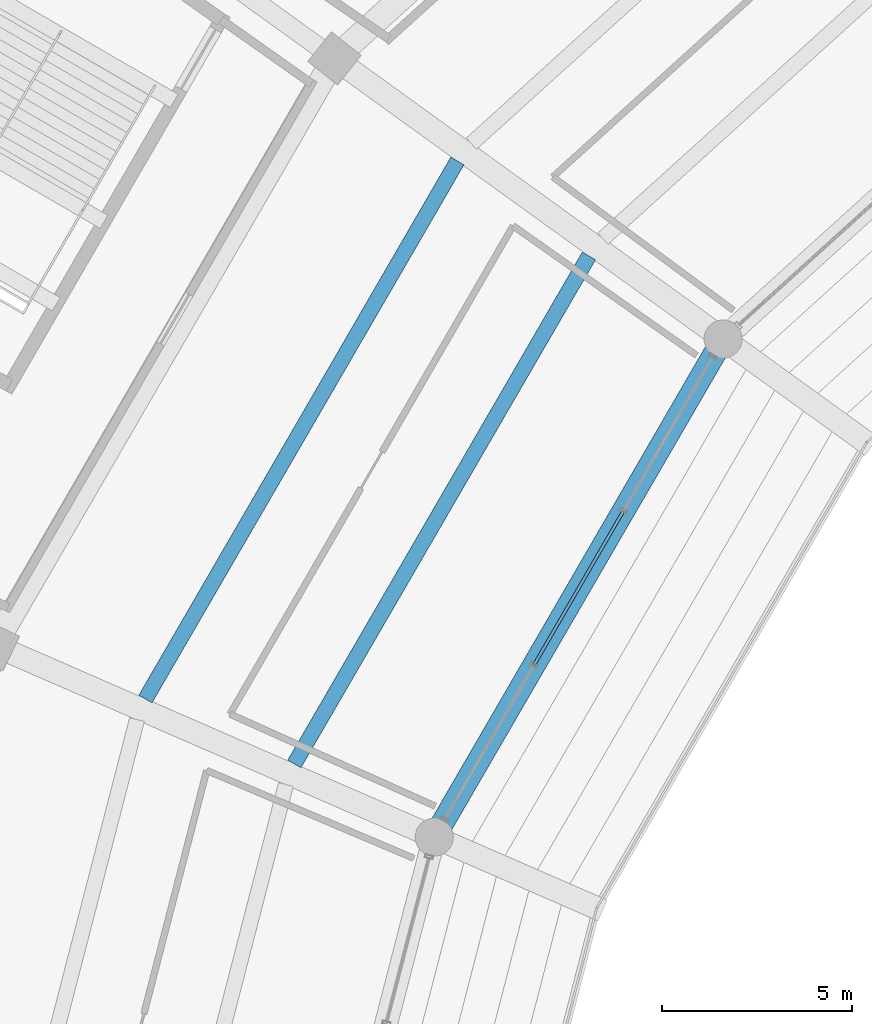
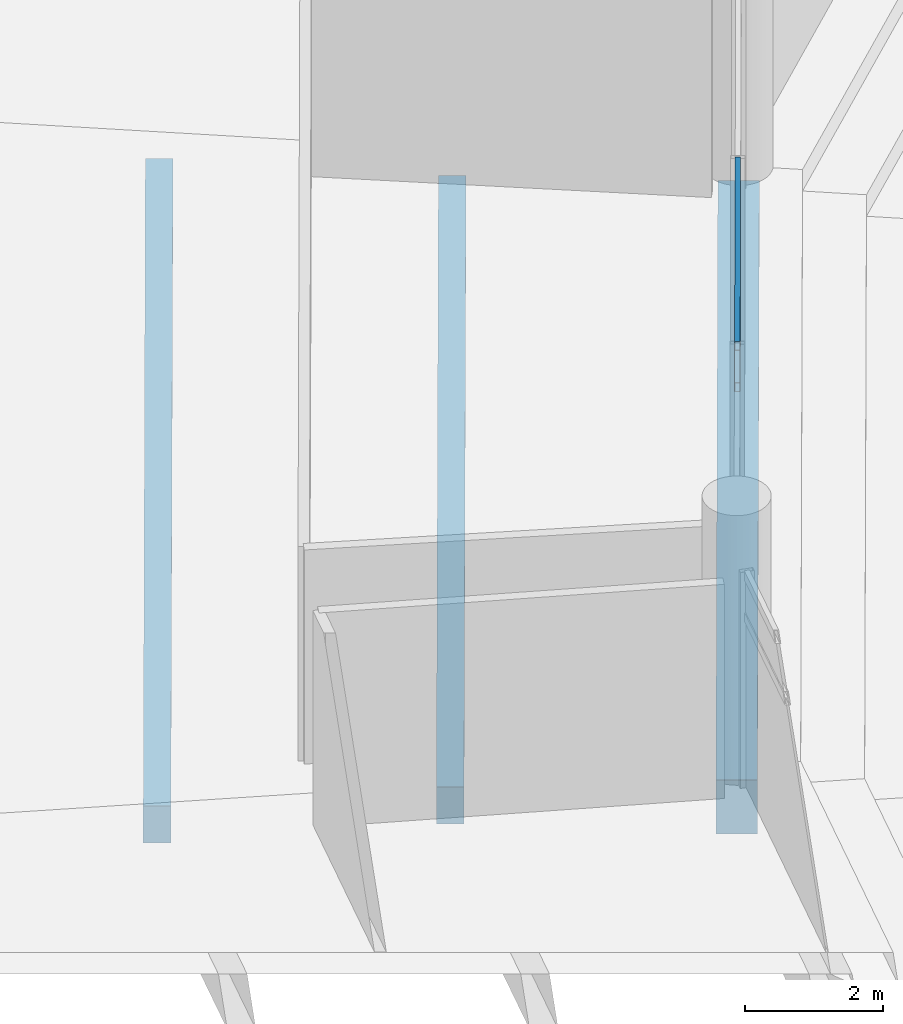
# One storey, part 47 of 171: 3 beams, 2 members, 1 element without a shape of its own.
"""IFC4 building model written with IfcOpenShell, lengths in metres."""

import ifcopenshell
import ifcopenshell.guid

model = None  # the IFC model being written
_history = None  # IfcOwnerHistory: only IFC2X3 demands one
_inside = {}  # id of a spatial element -> (the spatial element, [elements in it])
_under = {}  # id of a project, library or spatial element -> (it, [spatial elements below it])
_declared = {}  # id of a project -> (the project, [libraries it declares])
_typed = {}  # id of a type object -> (the type object, [elements of that type])
_made_of = {}  # id of a material, layer set ... -> (it, [elements and type objects made of it])


def new_model(schema):
    """Start an empty IFC model of exactly this schema.

    Asked for "IFC4X3", IfcOpenShell would pick the latest addendum, in which some entities
    have other attributes; the version numbers below select the first issue.
    IFC2X3 requires an IfcOwnerHistory on every rooted entity: one is made here for all.
    """
    global model, _history
    if schema == "IFC4X3":
        model = ifcopenshell.file(schema_version=(4, 3, 0, 0))
    else:
        model = ifcopenshell.file(schema=schema)
    _inside.clear()
    _under.clear()
    _declared.clear()
    _typed.clear()
    _made_of.clear()
    _history = None
    if model.schema == "IFC2X3":
        org = make("IfcOrganization", Name="unknown")
        user = make(
            "IfcPersonAndOrganization",
            ThePerson=make("IfcPerson", FamilyName="unknown"),
            TheOrganization=org,
        )
        app = make(
            "IfcApplication",
            ApplicationDeveloper=org,
            Version="unknown",
            ApplicationFullName="unknown",
            ApplicationIdentifier="unknown",
        )
        _history = make(
            "IfcOwnerHistory",
            OwningUser=user,
            OwningApplication=app,
            ChangeAction="ADDED",
            CreationDate=0,
        )
    return model


def make(cls, **values):
    """One entity of the class cls with the attributes given. An attribute that is None is left unset."""
    return model.create_entity(
        cls, **{name: value for name, value in values.items() if value is not None}
    )


def rooted(cls, **values):
    """An entity with a GlobalId (a new one), such as an element, a storey or a relation."""
    return make(cls, GlobalId=ifcopenshell.guid.new(), OwnerHistory=_history, **values)


def si_unit(unit_type, name, prefix=None):
    """IfcSIUnit, for example si_unit("LENGTHUNIT", "METRE", prefix="MILLI")."""
    return make("IfcSIUnit", UnitType=unit_type, Prefix=prefix, Name=name)


def assignment(units):
    """IfcUnitAssignment: the units of a project."""
    return None if units is None else make("IfcUnitAssignment", Units=units)


def point(xyz):
    """IfcCartesianPoint."""
    return None if xyz is None else make("IfcCartesianPoint", Coordinates=xyz)


def direction(xyz):
    """IfcDirection."""
    return None if xyz is None else make("IfcDirection", DirectionRatios=xyz)


def frame(location, z_axis=None, x_axis=None):
    """IfcAxis2Placement3D, a coordinate frame: its origin and axes. An axis left out is left unset."""
    return make(
        "IfcAxis2Placement3D",
        Location=point(location),
        Axis=direction(z_axis),
        RefDirection=direction(x_axis),
    )


def frame_2d(location, x_axis=None):
    """IfcAxis2Placement2D, a coordinate frame in the plane: its origin and x axis."""
    return make(
        "IfcAxis2Placement2D", Location=point(location), RefDirection=direction(x_axis)
    )


def origin():
    """The frame at (0, 0, 0) with its axes left unset."""
    return frame((0.0, 0.0, 0.0))


def origin_2d():
    """The frame at (0, 0) in the plane with its x axis left unset."""
    return frame_2d((0.0, 0.0))


def place(relative_to, where):
    """IfcLocalPlacement: puts the frame where relative to a parent placement (None: the world)."""
    return make(
        "IfcLocalPlacement", PlacementRelTo=relative_to, RelativePlacement=where
    )


def context(
    kind, dimensions, precision=None, world=None, true_north=None, identifier=None
):
    """IfcGeometricRepresentationContext, for example the 3D "Model" context."""
    return make(
        "IfcGeometricRepresentationContext",
        ContextIdentifier=identifier,
        ContextType=kind,
        CoordinateSpaceDimension=dimensions,
        Precision=precision,
        WorldCoordinateSystem=world,
        TrueNorth=true_north,
    )


def subcontext(parent, identifier, kind, view, scale=None):
    """IfcGeometricRepresentationSubContext, for example "Body" below "Model"."""
    return make(
        "IfcGeometricRepresentationSubContext",
        ContextIdentifier=identifier,
        ContextType=kind,
        ParentContext=parent,
        TargetScale=scale,
        TargetView=view,
    )


def project(units=None, contexts=None):
    """IfcProject with its units and contexts."""
    return rooted(
        "IfcProject",
        Name="project",
        RepresentationContexts=contexts,
        UnitsInContext=assignment(units),
    )


def spatial(cls, under=None, at=None, **own):
    """A site, building, storey or space (cls), placed at a placement, below another one or the project."""
    s = rooted(cls, ObjectPlacement=at, **own)
    if under is not None:
        _under.setdefault(under.id(), (under, []))[1].append(s)
    return s


def profile(cls, at=None, kind="AREA", **sizes):
    """A parametric profile (cls). Its sizes go by their IFC names, for example OverallWidth=200.0."""
    return make(cls, ProfileType=kind, Position=at, **sizes)


def rectangle(**sizes):
    """IfcRectangleProfileDef."""
    return profile("IfcRectangleProfileDef", **sizes)


def hollow_rectangle(**sizes):
    """IfcRectangleHollowProfileDef."""
    return profile("IfcRectangleHollowProfileDef", **sizes)


def extrude(swept, where, along, depth):
    """IfcExtrudedAreaSolid: the profile swept, set in the frame where, extruded along a direction by depth."""
    return make(
        "IfcExtrudedAreaSolid",
        SweptArea=swept,
        Position=where,
        ExtrudedDirection=direction(along),
        Depth=depth,
    )


def shape(context_of_items, identifier, shape_type, items):
    """IfcShapeRepresentation: the items that make up one representation, for example the "Body"."""
    return make(
        "IfcShapeRepresentation",
        ContextOfItems=context_of_items,
        RepresentationIdentifier=identifier,
        RepresentationType=shape_type,
        Items=items,
    )


def material(Name=None, Category=None):
    """IfcMaterial."""
    return make("IfcMaterial", Name=Name, Category=Category)


def layer(
    of_material, thickness, ventilated=None, Name=None, Category=None, Priority=None
):
    """IfcMaterialLayer: one layer of a wall or slab, of a material (None: an air gap)."""
    return make(
        "IfcMaterialLayer",
        Material=of_material,
        LayerThickness=thickness,
        IsVentilated=ventilated,
        Name=Name,
        Category=Category,
        Priority=Priority,
    )


def layer_set(layers, Name=None):
    """IfcMaterialLayerSet."""
    return make("IfcMaterialLayerSet", MaterialLayers=layers, LayerSetName=Name)


def material_profile(
    of_material, cross_section, Name=None, Category=None, Priority=None
):
    """IfcMaterialProfile: a cross section and its material."""
    return make(
        "IfcMaterialProfile",
        Name=Name,
        Material=of_material,
        Profile=cross_section,
        Priority=Priority,
        Category=Category,
    )


def profile_set(profiles, Name=None, composite=None):
    """IfcMaterialProfileSet."""
    return make(
        "IfcMaterialProfileSet",
        Name=Name,
        MaterialProfiles=profiles,
        CompositeProfile=composite,
    )


def made_of(thing, what):
    """Note that an element or type object is made of a material, layer set ...; save() writes the relation."""
    if what is not None:
        _made_of.setdefault(what.id(), (what, []))[1].append(thing)
    return thing


def type_object(cls, material=None, **own):
    """A type object (cls), such as IfcWallType, which elements share."""
    return made_of(rooted(cls, **own), material)


def element(
    cls,
    number,
    at=None,
    inside=None,
    cuts=None,
    type_object=None,
    material=None,
    context=None,
    identifier="Body",
    shape_type=None,
    held_by="IfcProductDefinitionShape",
    body=None,
    shapes=None,
    **own,
):
    """One element of the class cls, such as IfcWall. Its Tag is "e" and its number.

    at: its placement. inside: the storey or other place that contains it. cuts: it is an
    opening in that element (IfcRelVoidsElement). A single representation is given by context,
    identifier, shape_type and body (its items); several are given by shapes. held_by: the class
    of the entity that holds the representations. save() writes the other relations.
    """
    e = rooted(cls, Tag="e%d" % number, ObjectPlacement=at, **own)
    if body is not None:
        shapes = [shape(context, identifier, shape_type, body)]
    if shapes is not None:
        e.Representation = make(held_by, Representations=shapes)
    if inside is not None:
        _inside.setdefault(inside.id(), (inside, []))[1].append(e)
    if cuts is not None:
        rooted(
            "IfcRelVoidsElement", RelatingBuildingElement=cuts, RelatedOpeningElement=e
        )
    if type_object is not None:
        _typed.setdefault(type_object.id(), (type_object, []))[1].append(e)
    return made_of(e, material)


def aggregate(whole, parts):
    """IfcRelAggregates: a whole, such as a stair, and the parts it consists of."""
    return rooted("IfcRelAggregates", RelatingObject=whole, RelatedObjects=parts)


def save(model, path):
    """Write the relations noted so far, then the file.

    IfcRelAggregates (storeys below a building ...), IfcRelContainedInSpatialStructure (elements
    in a storey), IfcRelDefinesByType, IfcRelAssociatesMaterial and IfcRelDeclares: one each for
    every whole, place, type object, material and project.
    """
    for whole, parts in _under.values():
        aggregate(whole, parts)
    for where, things in _inside.values():
        rooted(
            "IfcRelContainedInSpatialStructure",
            RelatedElements=things,
            RelatingStructure=where,
        )
    for kind, things in _typed.values():
        rooted("IfcRelDefinesByType", RelatedObjects=things, RelatingType=kind)
    for what, things in _made_of.values():
        rooted("IfcRelAssociatesMaterial", RelatedObjects=things, RelatingMaterial=what)
    for by, libraries in _declared.values():
        rooted("IfcRelDeclares", RelatingContext=by, RelatedDefinitions=libraries)
    model.write(path)


model = new_model("IFC4")

# Units and contexts
model_context = context("Model", 3, precision=1e-05, world=origin(), true_north=direction((0.0, 1.0)))
body_context = subcontext(model_context, "Body", "Model", "MODEL_VIEW")
ifc_project = project(units=[si_unit("LENGTHUNIT", "METRE"), si_unit("AREAUNIT", "SQUARE_METRE"), si_unit("VOLUMEUNIT", "CUBIC_METRE"), si_unit("PLANEANGLEUNIT", "RADIAN"), si_unit("MASSUNIT", "GRAM", prefix="KILO")], contexts=[model_context])

# Site, building, storey
site_placement = place(None, origin())
site = spatial("IfcSite", under=ifc_project, at=site_placement, CompositionType="ELEMENT")
building_placement = place(site_placement, origin())
building = spatial("IfcBuilding", under=site, at=building_placement, Name="Kazemori Nagisa Stadium", CompositionType="ELEMENT")
storey_placement = place(building_placement, frame((0.0, 0.0, 15.639892578125)))
storey = spatial("IfcBuildingStorey", under=building, at=storey_placement, Name="L03", CompositionType="ELEMENT", Elevation=15.639892578125)

# Beams
ifc_material_1 = material(Name="Concrete C40/50 (Fc42)", Category="concrete")
ifc_material_profile_1 = material_profile(ifc_material_1, rectangle(XDim=0.60009765625, YDim=0.949951171875, at=origin_2d()), Name="RC-BM-600x950")
ifc_profile_set_1 = profile_set([ifc_material_profile_1], Name="Concrete C40/50 (Fc42)")
beam_type_1 = type_object("IfcBeamType", Name="Beam_BG-RC600X950", PredefinedType="BEAM", material=ifc_profile_set_1)
beam_1_placement = place(storey_placement, frame((65.698486328125, 143.367431640625, -0.73486328125), z_axis=(-0.501613453924, -0.865091869597, 0.0), x_axis=(0.865091869597, -0.501613453924, 0.0)))
element("IfcBeam", 1, at=beam_1_placement, inside=storey, type_object=beam_type_1, Name="Ring girder BG-RC600X950 L03 R1-12", PredefinedType="BEAM", context=body_context, shape_type="SweptSolid", body=[
    extrude(rectangle(XDim=0.60009765625, YDim=0.949951171875, at=origin_2d()), origin(), (0.0, 0.0, 1.0), 15.1201171875),
])
ifc_material_profile_2 = material_profile(ifc_material_1, rectangle(XDim=0.39990234375, YDim=0.64990234375, at=origin_2d()), Name="RC-BM-400x650")
ifc_profile_set_2 = profile_set([ifc_material_profile_2], Name="Concrete C40/50 (Fc42)")
beam_type_2 = type_object("IfcBeamType", Name="Beam_BJ-RC400X650", PredefinedType="JOIST", material=ifc_profile_set_2)
beam_2_placement = place(storey_placement, frame((62.175048828125, 145.548828125, -0.5849609375), z_axis=(-0.501607199617, -0.865095496054, 0.0), x_axis=(0.865095496054, -0.501607199617, 0.0)))
element("IfcBeam", 2, at=beam_2_placement, inside=storey, type_object=beam_type_2, Name="Concourse joist BJ-RC400X650 L03 B12-1", PredefinedType="JOIST", context=body_context, shape_type="SweptSolid", body=[
    extrude(rectangle(XDim=0.39990234375, YDim=0.64990234375, at=origin_2d()), origin(), (0.0, 0.0, 1.0), 15.420654296875),
])
beam_3_placement = place(storey_placement, frame((58.72119140625, 148.042236328125, -0.5849609375), z_axis=(-0.501604213872, -0.865097227268, 0.0), x_axis=(0.865097227268, -0.501604213872, 0.0)))
element("IfcBeam", 3, at=beam_3_placement, inside=storey, type_object=beam_type_2, Name="Concourse joist BJ-RC400X650 L03 B12-2", PredefinedType="JOIST", context=body_context, shape_type="SweptSolid", body=[
    extrude(rectangle(XDim=0.39990234375, YDim=0.64990234375, at=origin_2d()), origin(), (0.0, 0.0, 1.0), 16.331787109375),
])

# Curtain wall, members
ifc_material_2 = material(Name="Anodised aluminium 6063-T5", Category="aluminium")
ifc_layer = layer(ifc_material_2, 0.2099609375, Name="Anodised aluminium 6063-T5", Category="aluminium")
ifc_layer_set = layer_set([ifc_layer], Name="Anodised aluminium 6063-T5")
curtain_wall_type = type_object("IfcCurtainWallType", Name="CW_L03B_71", PredefinedType="USERDEFINED", material=ifc_layer_set)
curtain_wall_placement = place(storey_placement, origin())
curtain_wall = element("IfcCurtainWall", 4, at=curtain_wall_placement, inside=storey, type_object=curtain_wall_type, Name="Unitised curtain wall CW-L03B-71 L03", ObjectType="UNITISED CURTAIN WALL", PredefinedType="USERDEFINED")
ifc_material_3 = material(Name="Aluminium 6063-T5 anodised", Category="aluminium")
ifc_material_profile_3 = material_profile(ifc_material_3, hollow_rectangle(XDim=0.080078125, YDim=0.159912109375, WallThickness=0.00390625, at=origin_2d()), Name="ALU-TRAN-80x160x4")
ifc_profile_set_3 = profile_set([ifc_material_profile_3], Name="Aluminium 6063-T5 anodised")
member_type = type_object("IfcMemberType", Name="Transom_T02", PredefinedType="USERDEFINED", material=ifc_profile_set_3)
member_1_placement = place(storey_placement, frame((63.07080078125, 138.835693359375, 3.010009765625), z_axis=(-0.501610282552, -0.865093708472, 0.0), x_axis=(0.865093708472, -0.501610282552, 0.0)))
member_1 = element("IfcMember", 5, at=member_1_placement, type_object=member_type, Name="Curtain wall transom CW-L03B-71-T2-mid", ObjectType="TRANSOM", PredefinedType="USERDEFINED", context=body_context, shape_type="SweptSolid", body=[
    extrude(hollow_rectangle(XDim=0.080078125, YDim=0.159912109375, WallThickness=0.00390625, at=origin_2d()), origin(), (0.0, 0.0, 1.0), 4.643310546875),
])
member_2_placement = place(storey_placement, frame((63.07080078125, 138.835693359375, 3.739990234375), z_axis=(-0.501610282552, -0.865093708472, 0.0), x_axis=(0.865093708472, -0.501610282552, 0.0)))
member_2 = element("IfcMember", 6, at=member_2_placement, type_object=member_type, Name="Curtain wall transom CW-L03B-71-T2-head", ObjectType="TRANSOM", PredefinedType="USERDEFINED", context=body_context, shape_type="SweptSolid", body=[
    extrude(hollow_rectangle(XDim=0.080078125, YDim=0.159912109375, WallThickness=0.00390625, at=origin_2d()), origin(), (0.0, 0.0, 1.0), 4.643310546875),
])
aggregate(curtain_wall, [member_1, member_2])

save(model, "model.ifc")
